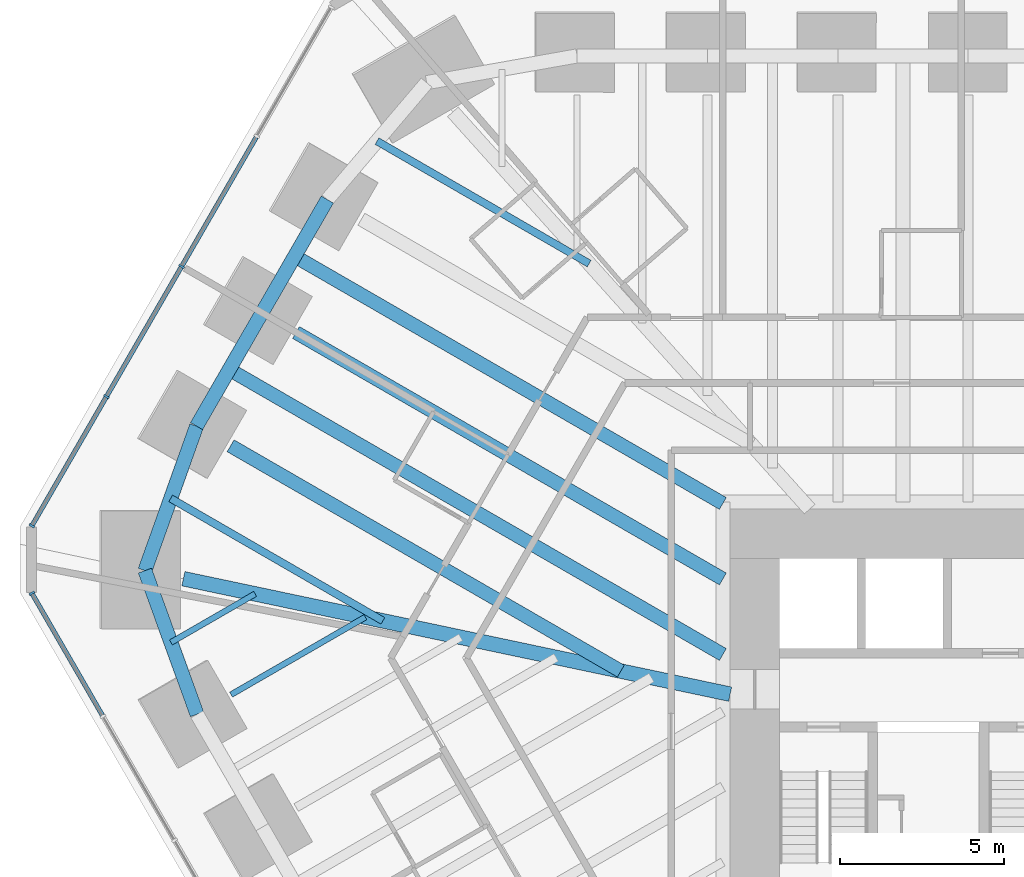
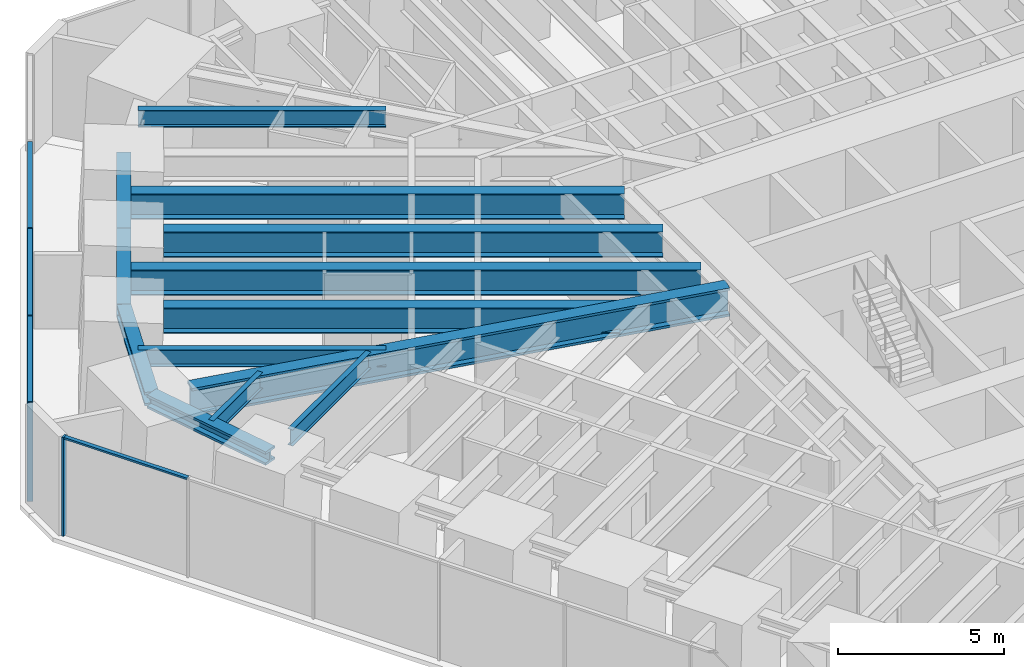
# One storey, part 7 of 17: 13 beams, 8 members, 2 elements without a shape of their own.
"""IFC4 building model written with IfcOpenShell, lengths in metres."""

from ifc_helpers import new_model, si_unit, direction, frame, origin, origin_2d, place, context, subcontext, project, spatial, rectangle, i_section, extrude, material, material_profile, profile_set, type_object, element, aggregate, save


model = new_model("IFC4")

# Units and contexts
model_context = context("Model", 3, precision=1e-05, world=origin(), true_north=direction((0.0, 1.0)))
body_context = subcontext(model_context, "Body", "Model", "MODEL_VIEW")
ifc_project = project(units=[si_unit("LENGTHUNIT", "METRE"), si_unit("AREAUNIT", "SQUARE_METRE"), si_unit("VOLUMEUNIT", "CUBIC_METRE"), si_unit("PLANEANGLEUNIT", "RADIAN"), si_unit("MASSUNIT", "GRAM", prefix="KILO")], contexts=[model_context])

# Site, building, storey
site_placement = place(None, origin())
site = spatial("IfcSite", under=ifc_project, at=site_placement, CompositionType="ELEMENT")
building_placement = place(site_placement, origin())
building = spatial("IfcBuilding", under=site, at=building_placement, Name="Sandreach Pilgrim Tower", CompositionType="ELEMENT")
storey_placement = place(building_placement, frame((0.0, 0.0, 87.60009765625)))
storey = spatial("IfcBuildingStorey", under=building, at=storey_placement, Name="L21", CompositionType="ELEMENT", Elevation=87.60009765625)

# Beams
ifc_material_1 = material(Name="Steel ASTM A913 Grade 65", Category="steel")
ifc_material_profile_1 = material_profile(ifc_material_1, i_section(OverallWidth=0.431884765625, OverallDepth=0.497802734375, WebThickness=0.0556640625, FlangeThickness=0.0888671875, at=origin_2d()), Name="W14X500")
ifc_profile_set_1 = profile_set([ifc_material_profile_1], Name="Steel ASTM A913 Grade 65")
beam_type_1 = type_object("IfcBeamType", Name="Belt truss chord W14X500", PredefinedType="BEAM", material=ifc_profile_set_1)
beam_1_placement = place(storey_placement, frame((-25.520263671875, 1.337890625, 3.390869140625), z_axis=(-0.340831122341, 0.940124537518, 0.0), x_axis=(-0.940124537518, -0.340831122341, 0.0)))
element("IfcBeam", 1, at=beam_1_placement, inside=storey, type_object=beam_type_1, Name="BM L21 BTB34", PredefinedType="BEAM", context=body_context, shape_type="SweptSolid", body=[
    extrude(i_section(OverallWidth=0.431884765625, OverallDepth=0.497802734375, WebThickness=0.0556640625, FlangeThickness=0.0888671875, at=origin_2d()), origin(), (0.0, 0.0, 1.0), 4.665283203125),
])
beam_2_placement = place(storey_placement, frame((-27.1103515625, 5.723876953125, 3.390869140625), z_axis=(0.336504840562, 0.941681736192, 0.0), x_axis=(-0.941681736192, 0.336504840562, 0.0)))
element("IfcBeam", 2, at=beam_2_placement, inside=storey, type_object=beam_type_1, Name="BM L21 BTB35", PredefinedType="BEAM", context=body_context, shape_type="SweptSolid", body=[
    extrude(i_section(OverallWidth=0.431884765625, OverallDepth=0.497802734375, WebThickness=0.0556640625, FlangeThickness=0.0888671875, at=origin_2d()), origin(), (0.0, 0.0, 1.0), 4.6826171875),
])
for number, where, z_axis, x_axis, name in (
    (3, (-25.53466796875, 10.13330078125, 3.390869140625), (0.500013648868, 0.866017523464, 0.0), (-0.866017523464, 0.500013648868, 0.0), "BM L21 BTB36"),
    (4, (-23.538818359375, 13.590087890625, 3.390869140625), (0.500013648868, 0.866017523464, 0.0), (-0.866017523464, 0.500013648868, 0.0), "BM L21 BTB37"),
):
    element("IfcBeam", number, at=place(storey_placement, frame(where, z_axis=z_axis, x_axis=x_axis)), inside=storey, type_object=beam_type_1, Name=name, PredefinedType="BEAM", context=body_context, shape_type="SweptSolid", body=[
        extrude(i_section(OverallWidth=0.431884765625, OverallDepth=0.497802734375, WebThickness=0.0556640625, FlangeThickness=0.0888671875, at=origin_2d()), origin(), (0.0, 0.0, 1.0), 3.99169921875),
    ])

# Curtain wall, member
ifc_material_2 = material(Name="Aluminium framed curtain wall", Category="aluminium")
curtain_wall_type = type_object("IfcCurtainWallType", Name="Hostel tower curtain wall", PredefinedType="NOTDEFINED", material=ifc_material_2)
curtain_wall_1_placement = place(storey_placement, origin())
curtain_wall_1 = element("IfcCurtainWall", 5, at=curtain_wall_1_placement, inside=storey, type_object=curtain_wall_type, Name="CW-1 L21 SW", PredefinedType="NOTDEFINED")
ifc_material_3 = material(Name="Aluminium extrusion", Category="aluminium")
ifc_material_profile_2 = material_profile(ifc_material_3, rectangle(XDim=0.06494140625, YDim=0.179931640625, at=origin_2d()), Name="CW-1M 65X180")
ifc_profile_set_2 = profile_set([ifc_material_profile_2], Name="Aluminium extrusion")
member_type_1 = type_object("IfcMemberType", Name="CW-1 mullion", PredefinedType="MULLION", material=ifc_profile_set_2)
member_1_placement = place(storey_placement, frame((-30.56005859375, 5.033935546875, 0.0), z_axis=(0.0, 0.0, 1.0), x_axis=(-0.5, 0.866025403784, 0.0)))
member_1 = element("IfcMember", 6, at=member_1_placement, type_object=member_type_1, Name="CW-1 mullion 10", PredefinedType="MULLION", context=body_context, shape_type="SweptSolid", body=[
    extrude(rectangle(XDim=0.06494140625, YDim=0.179931640625, at=origin_2d()), origin(), (0.0, 0.0, 1.0), 3.639892578125),
])

# Curtain wall, members
curtain_wall_2_placement = place(storey_placement, origin())
curtain_wall_2 = element("IfcCurtainWall", 7, at=curtain_wall_2_placement, inside=storey, type_object=curtain_wall_type, Name="CW-1 L21 NW", PredefinedType="NOTDEFINED")
member_2_placement = place(storey_placement, frame((-30.56005859375, 7.09033203125, 0.0), z_axis=(0.0, 0.0, 1.0), x_axis=(0.5, 0.866025403784, 0.0)))
member_2 = element("IfcMember", 8, at=member_2_placement, type_object=member_type_1, Name="CW-1 mullion 1", PredefinedType="MULLION", context=body_context, shape_type="SweptSolid", body=[
    extrude(rectangle(XDim=0.06494140625, YDim=0.179931640625, at=origin_2d()), origin(), (0.0, 0.0, 1.0), 3.639892578125),
])
member_3_placement = place(storey_placement, frame((-28.283203125, 11.03369140625, 0.0), z_axis=(0.0, 0.0, 1.0), x_axis=(0.5, 0.866025403784, 0.0)))
member_3 = element("IfcMember", 9, at=member_3_placement, type_object=member_type_1, Name="CW-1 mullion 2", PredefinedType="MULLION", context=body_context, shape_type="SweptSolid", body=[
    extrude(rectangle(XDim=0.06494140625, YDim=0.179931640625, at=origin_2d()), origin(), (0.0, 0.0, 1.0), 3.639892578125),
])
member_4_placement = place(storey_placement, frame((-25.990234375, 15.00537109375, 0.0), z_axis=(0.0, 0.0, 1.0), x_axis=(0.5, 0.866025403784, 0.0)))
member_4 = element("IfcMember", 10, at=member_4_placement, type_object=member_type_1, Name="CW-1 mullion 3", PredefinedType="MULLION", context=body_context, shape_type="SweptSolid", body=[
    extrude(rectangle(XDim=0.06494140625, YDim=0.179931640625, at=origin_2d()), origin(), (0.0, 0.0, 1.0), 3.639892578125),
])

# Member
ifc_material_4 = material(Name="Aluminium extrusion", Category="aluminium")
ifc_material_profile_3 = material_profile(ifc_material_4, rectangle(XDim=0.139892578125, YDim=0.070068359375, at=origin_2d()), Name="CW-1T 140X70")
ifc_profile_set_3 = profile_set([ifc_material_profile_3], Name="Aluminium extrusion")
member_type_2 = type_object("IfcMemberType", Name="CW-1 transom", PredefinedType="USERDEFINED", material=ifc_profile_set_3)
member_5_placement = place(storey_placement, frame((-28.40673828125, 1.304443359375, 3.60498046875), z_axis=(-0.499991113271, 0.866030534479, 0.0), x_axis=(-0.866030534479, -0.499991113271, 0.0)))
member_5 = element("IfcMember", 11, at=member_5_placement, type_object=member_type_2, Name="CW-1 head transom 9", ObjectType="TRANSOM", PredefinedType="USERDEFINED", context=body_context, shape_type="SweptSolid", body=[
    extrude(rectangle(XDim=0.139892578125, YDim=0.070068359375, at=origin_2d()), origin(), (0.0, 0.0, 1.0), 4.27392578125),
])

aggregate(curtain_wall_1, [member_1, member_5])

member_6_placement = place(storey_placement, frame((-30.543701171875, 7.118408203125, 3.60498046875), z_axis=(0.499976706761, 0.866038851724, 0.0), x_axis=(-0.866038851724, 0.499976706761, 0.0)))
member_6 = element("IfcMember", 12, at=member_6_placement, type_object=member_type_2, Name="CW-1 head transom 1", ObjectType="TRANSOM", PredefinedType="USERDEFINED", context=body_context, shape_type="SweptSolid", body=[
    extrude(rectangle(XDim=0.139892578125, YDim=0.070068359375, at=origin_2d()), origin(), (0.0, 0.0, 1.0), 4.488525390625),
])

member_7_placement = place(storey_placement, frame((-28.266845703125, 11.06201171875, 3.60498046875), z_axis=(0.500001366228, 0.866024614991, 0.0), x_axis=(-0.866024614991, 0.500001366228, 0.0)))
member_7 = element("IfcMember", 13, at=member_7_placement, type_object=member_type_2, Name="CW-1 head transom 2", ObjectType="TRANSOM", PredefinedType="USERDEFINED", context=body_context, shape_type="SweptSolid", body=[
    extrude(rectangle(XDim=0.139892578125, YDim=0.070068359375, at=origin_2d()), origin(), (0.0, 0.0, 1.0), 4.52099609375),
])

member_8_placement = place(storey_placement, frame((-25.973876953125, 15.03369140625, 3.60498046875), z_axis=(0.500001366228, 0.866024614991, 0.0), x_axis=(-0.866024614991, 0.500001366228, 0.0)))
member_8 = element("IfcMember", 14, at=member_8_placement, type_object=member_type_2, Name="CW-1 head transom 3", ObjectType="TRANSOM", PredefinedType="USERDEFINED", context=body_context, shape_type="SweptSolid", body=[
    extrude(rectangle(XDim=0.139892578125, YDim=0.070068359375, at=origin_2d()), origin(), (0.0, 0.0, 1.0), 4.52099609375),
])

aggregate(curtain_wall_2, [member_2, member_3, member_4, member_6, member_7, member_8])

# Beams
ifc_material_5 = material(Name="Steel ASTM A992 Grade 50", Category="steel")
ifc_material_profile_4 = material_profile(ifc_material_5, i_section(OverallWidth=0.447021484375, OverallDepth=1.0439453125, WebThickness=0.050048828125, FlangeThickness=0.08984375, at=origin_2d()), Name="W36X652")
ifc_profile_set_4 = profile_set([ifc_material_profile_4], Name="Steel ASTM A992 Grade 50")
beam_type_2 = type_object("IfcBeamType", Name="Corner girder W36X652", PredefinedType="BEAM", material=ifc_profile_set_4)
beam_3_placement = place(storey_placement, frame((-25.936279296875, 5.47607421875, 3.117919921875), z_axis=(0.978427950772, -0.206588347076, 0.0), x_axis=(0.206588347076, 0.978427950772, 0.0)))
element("IfcBeam", 15, at=beam_3_placement, inside=storey, type_object=beam_type_2, Name="BM L21 CG35", PredefinedType="BEAM", context=body_context, shape_type="SweptSolid", body=[
    extrude(i_section(OverallWidth=0.447021484375, OverallDepth=1.0439453125, WebThickness=0.050048828125, FlangeThickness=0.08984375, at=origin_2d()), origin(), (0.0, 0.0, 1.0), 17.05419921875),
])
ifc_material_6 = material(Name="Steel ASTM A992 Grade 50", Category="steel")
ifc_material_profile_5 = material_profile(ifc_material_6, i_section(OverallWidth=0.1787109375, OverallDepth=0.60205078125, WebThickness=0.010986328125, FlangeThickness=0.014892578125, at=origin_2d()), Name="W24X62")
ifc_profile_set_5 = profile_set([ifc_material_profile_5], Name="Steel ASTM A992 Grade 50")
beam_type_3 = type_object("IfcBeamType", Name="Floor beam W24X62", PredefinedType="BEAM", material=ifc_profile_set_5)
beam_4_placement = place(storey_placement, frame((-24.48095703125, 1.937744140625, 3.3388671875), z_axis=(0.866008577732, 0.500029142445, 0.0), x_axis=(-0.500029142445, 0.866008577732, 0.0)))
element("IfcBeam", 16, at=beam_4_placement, inside=storey, type_object=beam_type_3, Name="BM L21 F34", PredefinedType="BEAM", context=body_context, shape_type="SweptSolid", body=[
    extrude(i_section(OverallWidth=0.1787109375, OverallDepth=0.60205078125, WebThickness=0.010986328125, FlangeThickness=0.014892578125, at=origin_2d()), origin(), (0.0, 0.0, 1.0), 4.731689453125),
])
beam_5_placement = place(storey_placement, frame((-26.315185546875, 3.53076171875, 3.3388671875), z_axis=(0.866015594979, 0.500016988964, 0.0), x_axis=(-0.500016988964, 0.866015594979, 0.0)))
element("IfcBeam", 17, at=beam_5_placement, inside=storey, type_object=beam_type_3, Name="BM L21 FM34", PredefinedType="BEAM", context=body_context, shape_type="SweptSolid", body=[
    extrude(i_section(OverallWidth=0.1787109375, OverallDepth=0.60205078125, WebThickness=0.010986328125, FlangeThickness=0.014892578125, at=origin_2d()), origin(), (0.0, 0.0, 1.0), 2.9658203125),
])
ifc_material_7 = material(Name="Steel ASTM A992 Grade 50", Category="steel")
ifc_material_profile_6 = material_profile(ifc_material_7, i_section(OverallWidth=0.23046875, OverallDepth=0.6171875, WebThickness=0.01318359375, FlangeThickness=0.022216796875, at=origin_2d()), Name="W24X94")
ifc_profile_set_6 = profile_set([ifc_material_profile_6], Name="Steel ASTM A992 Grade 50")
beam_type_4 = type_object("IfcBeamType", Name="Floor beam W24X94", PredefinedType="BEAM", material=ifc_profile_set_6)
for number, where, z_axis, x_axis, name in (
    (18, (-26.322509765625, 7.928466796875, 3.331298828125), (0.866036034616, -0.499981586408, 0.0), (0.499981586408, 0.866036034616, 0.0), "BM L21 FM35"),
    (19, (-20.027587890625, 18.83154296875, 3.331298828125), (0.866036034616, -0.499981586408, 0.0), (0.499981586408, 0.866036034616, 0.0), "BM L21 FM38"),
):
    element("IfcBeam", number, at=place(storey_placement, frame(where, z_axis=z_axis, x_axis=x_axis)), inside=storey, type_object=beam_type_4, Name=name, PredefinedType="BEAM", context=body_context, shape_type="SweptSolid", body=[
        extrude(i_section(OverallWidth=0.23046875, OverallDepth=0.6171875, WebThickness=0.01318359375, FlangeThickness=0.022216796875, at=origin_2d()), origin(), (0.0, 0.0, 1.0), 7.475830078125),
    ])
ifc_material_8 = material(Name="Steel ASTM A992 Grade 50", Category="steel")
ifc_material_profile_7 = material_profile(ifc_material_8, i_section(OverallWidth=0.419189453125, OverallDepth=0.927001953125, WebThickness=0.019287109375, FlangeThickness=0.031982421875, at=origin_2d()), Name="W36X231")
ifc_profile_set_7 = profile_set([ifc_material_profile_7], Name="Steel ASTM A992 Grade 50")
beam_type_5 = type_object("IfcBeamType", Name="Floor beam W36X231", PredefinedType="BEAM", material=ifc_profile_set_7)
beam_6_placement = place(storey_placement, frame((-24.495361328125, 9.533203125, 3.17626953125), z_axis=(0.866023278067, -0.500003681833, 0.0), x_axis=(0.500003681833, 0.866023278067, 0.0)))
element("IfcBeam", 20, at=beam_6_placement, inside=storey, type_object=beam_type_5, Name="BM L21 F36", PredefinedType="BEAM", context=body_context, shape_type="SweptSolid", body=[
    extrude(i_section(OverallWidth=0.419189453125, OverallDepth=0.927001953125, WebThickness=0.019287109375, FlangeThickness=0.031982421875, at=origin_2d()), origin(), (0.0, 0.0, 1.0), 13.751953125),
])
beam_7_placement = place(storey_placement, frame((-22.49951171875, 12.990234375, 3.17626953125), z_axis=(0.866021259968, -0.500007177232, 0.0), x_axis=(0.500007177232, 0.866021259968, 0.0)))
element("IfcBeam", 21, at=beam_7_placement, inside=storey, type_object=beam_type_5, Name="BM L21 F37", PredefinedType="BEAM", context=body_context, shape_type="SweptSolid", body=[
    extrude(i_section(OverallWidth=0.419189453125, OverallDepth=0.927001953125, WebThickness=0.019287109375, FlangeThickness=0.031982421875, at=origin_2d()), origin(), (0.0, 0.0, 1.0), 15.042724609375),
])
beam_8_placement = place(storey_placement, frame((-24.53662109375, 11.861572265625, 3.17626953125), z_axis=(0.86602431599, -0.50000188411, 0.0), x_axis=(0.50000188411, 0.86602431599, 0.0)))
element("IfcBeam", 22, at=beam_8_placement, inside=storey, type_object=beam_type_5, Name="BM L21 FM36", PredefinedType="BEAM", context=body_context, shape_type="SweptSolid", body=[
    extrude(i_section(OverallWidth=0.419189453125, OverallDepth=0.927001953125, WebThickness=0.019287109375, FlangeThickness=0.031982421875, at=origin_2d()), origin(), (0.0, 0.0, 1.0), 17.39501953125),
])
beam_9_placement = place(storey_placement, frame((-22.540771484375, 15.318603515625, 3.17626953125), z_axis=(0.866018276026, -0.500012345436, 0.0), x_axis=(0.500012345436, 0.866018276026, 0.0)))
element("IfcBeam", 23, at=beam_9_placement, inside=storey, type_object=beam_type_5, Name="BM L21 FM37", PredefinedType="BEAM", context=body_context, shape_type="SweptSolid", body=[
    extrude(i_section(OverallWidth=0.419189453125, OverallDepth=0.927001953125, WebThickness=0.019287109375, FlangeThickness=0.031982421875, at=origin_2d()), origin(), (0.0, 0.0, 1.0), 15.09033203125),
])

save(model, "model.ifc")
